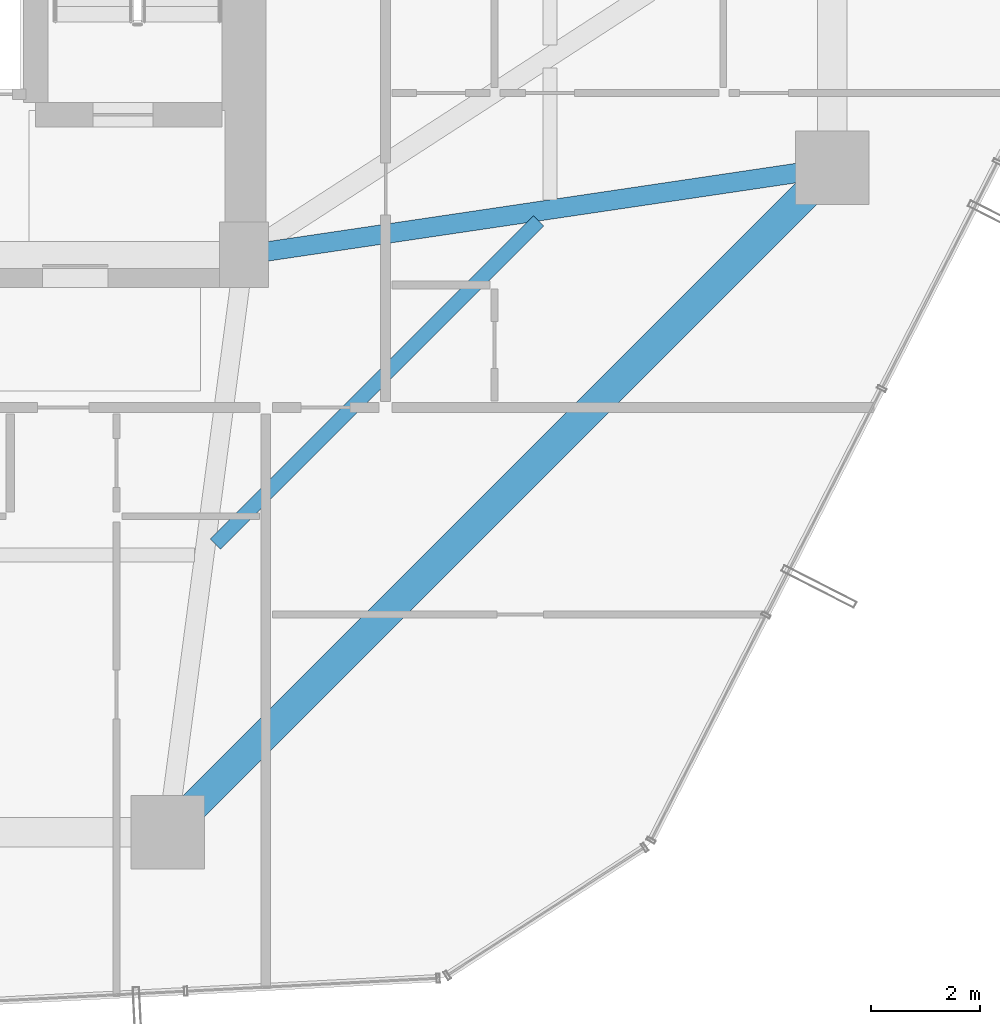
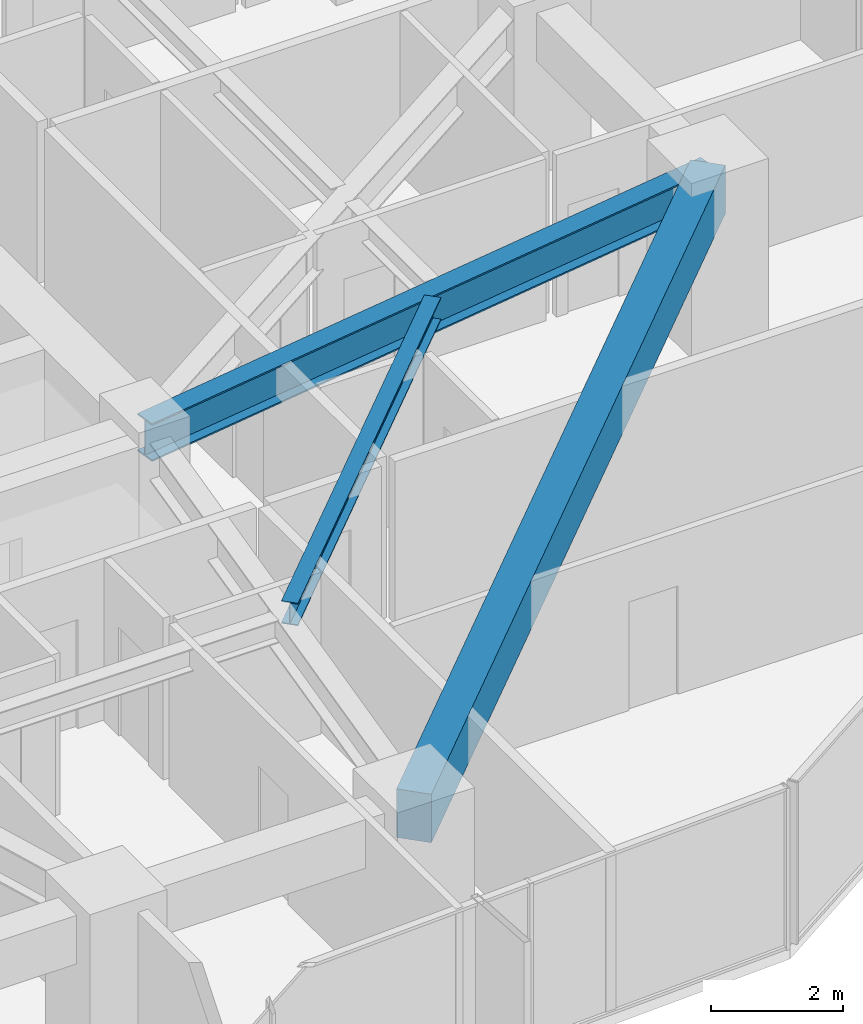
# One storey, part 15 of 37: 3 beams.
"""IFC4 building model written with IfcOpenShell, lengths in metres."""

from ifc_helpers import new_model, si_unit, direction, frame, origin, origin_2d, place, context, subcontext, project, spatial, rectangle, i_section, extrude, material, material_profile, profile_set, type_object, element, save


model = new_model("IFC4")

# Units and contexts
model_context = context("Model", 3, precision=1e-05, world=origin(), true_north=direction((0.0, 1.0)))
body_context = subcontext(model_context, "Body", "Model", "MODEL_VIEW")
ifc_project = project(units=[si_unit("LENGTHUNIT", "METRE"), si_unit("AREAUNIT", "SQUARE_METRE"), si_unit("VOLUMEUNIT", "CUBIC_METRE"), si_unit("PLANEANGLEUNIT", "RADIAN"), si_unit("MASSUNIT", "GRAM", prefix="KILO")], contexts=[model_context])

# Site, building, storey
site_placement = place(None, origin())
site = spatial("IfcSite", under=ifc_project, at=site_placement, CompositionType="ELEMENT")
building_placement = place(site_placement, origin())
building = spatial("IfcBuilding", under=site, at=building_placement, Name="Veraguas Prism Commons", CompositionType="ELEMENT")
storey_placement = place(building_placement, frame((0.0, 0.0, 33.800048828125)))
storey = spatial("IfcBuildingStorey", under=building, at=storey_placement, Name="L08", CompositionType="ELEMENT", Elevation=33.800048828125)

# Beams
ifc_material_1 = material(Name="Steel ASTM A992 Grade 50", Category="steel")
ifc_material_profile_1 = material_profile(ifc_material_1, i_section(OverallWidth=0.260986328125, OverallDepth=0.419921875, WebThickness=0.01171875, FlangeThickness=0.019287109375, at=origin_2d()), Name="W410X114")
ifc_profile_set_1 = profile_set([ifc_material_profile_1], Name="Steel ASTM A992 Grade 50")
beam_type_1 = type_object("IfcBeamType", Name="Lower Floor Joist W410x114", PredefinedType="JOIST", material=ifc_profile_set_1)
beam_1_placement = place(storey_placement, frame((30.276611328125, 11.6923828125, 2.7900390625), z_axis=(0.707092226423, 0.70712133565, 0.0), x_axis=(-0.70712133565, 0.707092226423, 0.0)))
element("IfcBeam", 1, at=beam_1_placement, inside=storey, type_object=beam_type_1, Name="Composite Floor Joist L08-JS12", PredefinedType="JOIST", context=body_context, shape_type="SweptSolid", body=[
    extrude(i_section(OverallWidth=0.260986328125, OverallDepth=0.419921875, WebThickness=0.01171875, FlangeThickness=0.019287109375, at=origin_2d()), origin(), (0.0, 0.0, 1.0), 8.386962890625),
])
ifc_material_2 = material(Name="Concrete C50/60", Category="concrete")
ifc_material_profile_2 = material_profile(ifc_material_2, rectangle(XDim=0.550048828125, YDim=0.89990234375, at=origin_2d()), Name="RC550X900")
ifc_profile_set_2 = profile_set([ifc_material_profile_2], Name="Concrete C50/60")
beam_type_2 = type_object("IfcBeamType", Name="Perimeter Spandrel Lower RC 550x900", PredefinedType="SPANDREL", material=ifc_profile_set_2)
beam_2_placement = place(storey_placement, frame((29.39990234375, 6.39990234375, 2.550048828125), z_axis=(0.707106781187, 0.707106781187, 0.0), x_axis=(-0.707106781187, 0.707106781187, 0.0)))
element("IfcBeam", 2, at=beam_2_placement, inside=storey, type_object=beam_type_2, Name="Perimeter Spandrel Beam L08-SP12", PredefinedType="SPANDREL", context=body_context, shape_type="SweptSolid", body=[
    extrude(rectangle(XDim=0.550048828125, YDim=0.89990234375, at=origin_2d()), origin(), (0.0, 0.0, 1.0), 17.253662109375),
])
ifc_material_profile_3 = material_profile(ifc_material_1, i_section(OverallWidth=0.35595703125, OverallDepth=0.700927734375, WebThickness=0.016845703125, FlangeThickness=0.02734375, at=origin_2d()), Name="W690X240")
ifc_profile_set_3 = profile_set([ifc_material_profile_3], Name="Steel ASTM A992 Grade 50")
beam_type_3 = type_object("IfcBeamType", Name="Zone 1 Radial Girder W690x240", PredefinedType="BEAM", material=ifc_profile_set_3)
beam_3_placement = place(storey_placement, frame((41.60009765625, 18.60009765625, 2.6494140625), z_axis=(-0.989202261707, -0.146556765224, 0.0), x_axis=(0.146556765224, -0.989202261707, 0.0)))
element("IfcBeam", 3, at=beam_3_placement, inside=storey, type_object=beam_type_3, Name="Radial Floor Girder L08-RD01", PredefinedType="BEAM", context=body_context, shape_type="SweptSolid", body=[
    extrude(i_section(OverallWidth=0.35595703125, OverallDepth=0.700927734375, WebThickness=0.016845703125, FlangeThickness=0.02734375, at=origin_2d()), origin(), (0.0, 0.0, 1.0), 10.91796875),
])

save(model, "model.ifc")
